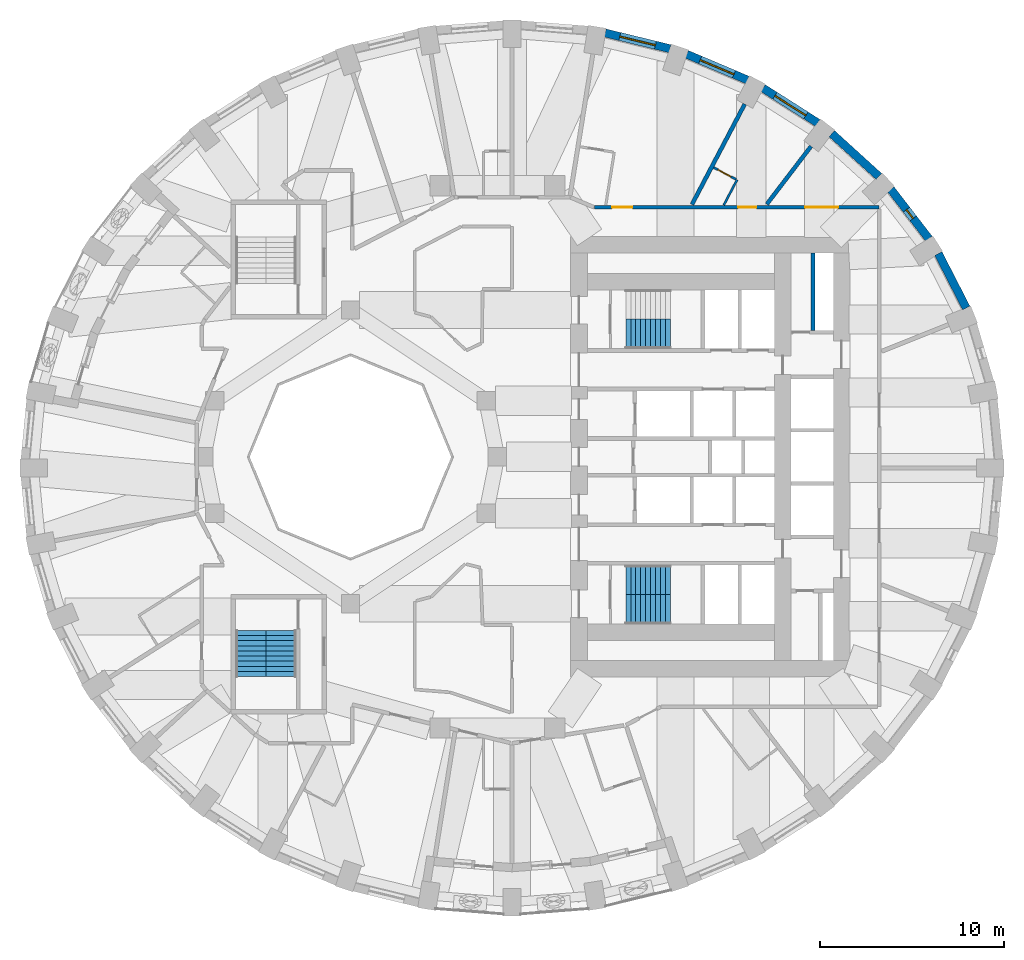
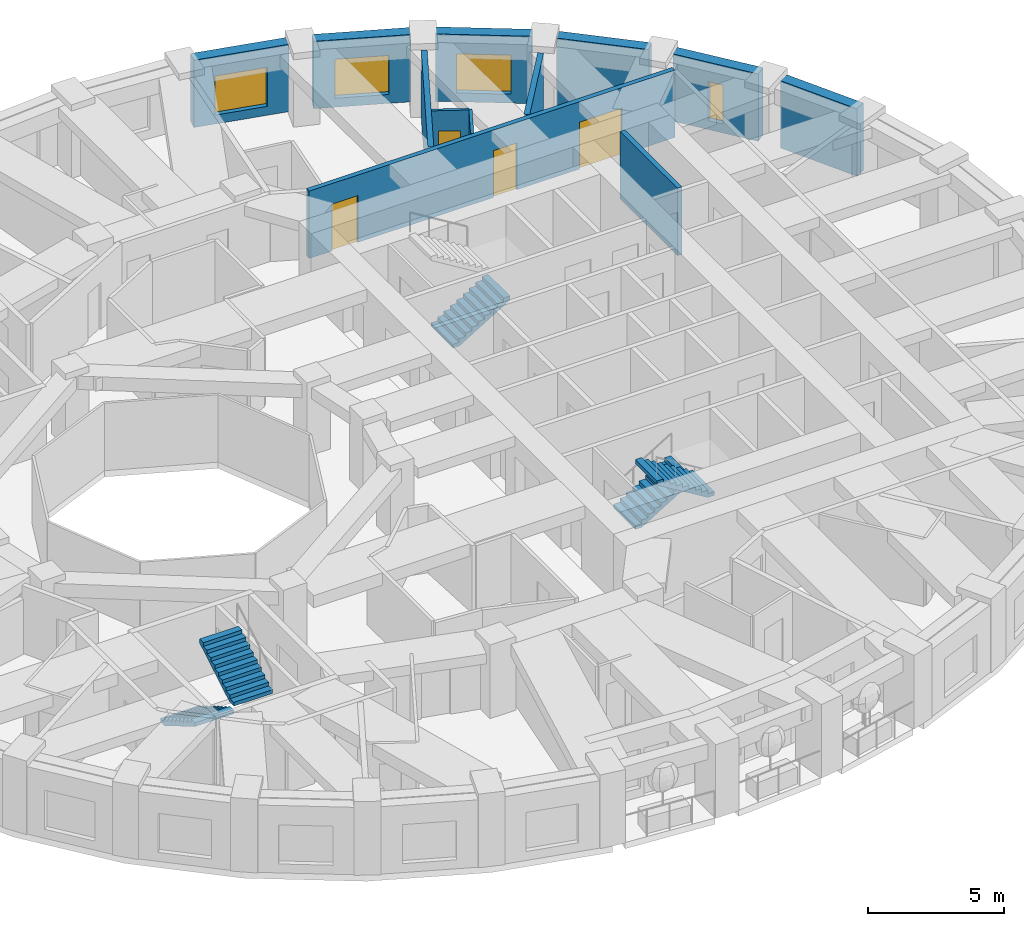
# One storey, part 9 of 13: 12 walls, 5 stair flights, 4 doors, 4 windows, 8 openings, 3 elements without a shape of their own.
"""IFC4 building model written with IfcOpenShell, lengths in metres."""

from ifc_helpers import new_model, si_unit, direction, frame, frame_2d, origin, place, context, subcontext, project, spatial, polyline, rectangle, outline, extrude, material, layer, layer_set, type_object, element, fill, aggregate, save


model = new_model("IFC4")

# Units and contexts
model_context = context("Model", 3, precision=1e-05, world=origin(), true_north=direction((0.0, 1.0)))
body_context = subcontext(model_context, "Body", "Model", "MODEL_VIEW")
ifc_project = project(units=[si_unit("LENGTHUNIT", "METRE"), si_unit("AREAUNIT", "SQUARE_METRE"), si_unit("VOLUMEUNIT", "CUBIC_METRE"), si_unit("PLANEANGLEUNIT", "RADIAN"), si_unit("MASSUNIT", "GRAM", prefix="KILO")], contexts=[model_context])

# Site, building, storey
site_placement = place(None, origin())
site = spatial("IfcSite", under=ifc_project, at=site_placement, CompositionType="ELEMENT")
building_placement = place(site_placement, origin())
building = spatial("IfcBuilding", under=site, at=building_placement, Name="Taillehof Tower", CompositionType="ELEMENT")
storey_placement = place(building_placement, frame((0.0, 0.0, 115.300048828125)))
storey = spatial("IfcBuildingStorey", under=building, at=storey_placement, Name="L32", CompositionType="ELEMENT", Elevation=115.300048828125)

# Wall
ifc_material_1 = material(Name="Brick masonry", Category="masonry")
ifc_layer_1 = layer(ifc_material_1, 0.449951171875)
ifc_layer_set_1 = layer_set([ifc_layer_1], Name="Brick infill wall 450")
wall_type_1 = type_object("IfcWallType", Name="Brick infill wall 450", PredefinedType="SOLIDWALL", material=ifc_layer_set_1)
wall_1_placement = place(storey_placement, frame((25.545166015625, 8.1123046875, 0.0), z_axis=(0.0, 0.0, 1.0), x_axis=(-0.456828186229, 0.889554949549, 0.0)))
element("IfcWall", 1, at=wall_1_placement, inside=storey, type_object=wall_type_1, Name="Brick wall L32 bay 3", PredefinedType="SOLIDWALL", context=body_context, shape_type="SweptSolid", body=[
    extrude(rectangle(XDim=3.332763671875, YDim=0.449951171875, at=frame_2d((1.66650390625, 0.0))), origin(), (0.0, 0.0, 1.0), 3.02001953125),
])

# Wall, opening, window
wall_2_placement = place(storey_placement, frame((23.508056640625, 11.887451171875, 0.0), z_axis=(0.0, 0.0, 1.0), x_axis=(-0.610693945156, 0.791866721961, 0.0)))
wall_2 = element("IfcWall", 2, at=wall_2_placement, inside=storey, type_object=wall_type_1, Name="Brick wall L32 bay 4", PredefinedType="SOLIDWALL", context=body_context, shape_type="SweptSolid", body=[
    extrude(rectangle(XDim=3.39453125, YDim=0.449951171875, at=frame_2d((1.697265625, 0.0))), origin(), (0.0, 0.0, 1.0), 3.02001953125),
])
opening_1_placement = place(wall_2_placement, frame((1.397216796875, 0.0, 0.39990234375)))
opening_1 = element("IfcOpeningElement", 3, at=opening_1_placement, cuts=wall_2, Name="Opening W6", PredefinedType="OPENING", context=body_context, shape_type="SweptSolid", body=[
    extrude(rectangle(XDim=0.60009765625, YDim=1.75, at=frame_2d((0.300048828125, 0.875))), frame((0.0, 0.23486328125, 0.0), z_axis=(0.0, -1.0, 0.0), x_axis=(1.0, 0.0, 0.0)), (0.0, 0.0, 1.0), 0.469970703125),
])
ifc_material_2 = material(Name="Aluminium window frame with clear double glazing", Category="aluminium")
window_type_1 = type_object("IfcWindowType", Name="Slot window 600x1750", PartitioningType="SINGLE_PANEL", PredefinedType="WINDOW", material=ifc_material_2)
window_1_placement = place(opening_1_placement, origin())
window_1 = element("IfcWindow", 4, at=window_1_placement, inside=storey, type_object=window_type_1, Name="W6", OverallHeight=1.75, OverallWidth=0.60009765625, PartitioningType="SINGLE_PANEL", PredefinedType="WINDOW", context=body_context, shape_type="SweptSolid", body=[
    extrude(rectangle(XDim=0.60009765625, YDim=1.75, at=frame_2d((0.300048828125, 0.875))), frame((0.0, 0.034912109375, 0.0), z_axis=(0.0, -1.0, 0.0), x_axis=(1.0, 0.0, 0.0)), (0.0, 0.0, 1.0), 0.06005859375),
])
fill(opening_1, window_1)

# Wall
wall_3_placement = place(storey_placement, frame((20.783935546875, 15.281005859375, 0.0), z_axis=(0.0, 0.0, 1.0), x_axis=(-0.74032902847, 0.672244694739, 0.0)))
element("IfcWall", 5, at=wall_3_placement, inside=storey, type_object=wall_type_1, Name="Brick wall L32 bay 5", PredefinedType="SOLIDWALL", context=body_context, shape_type="SweptSolid", body=[
    extrude(rectangle(XDim=3.4638671875, YDim=0.449951171875, at=frame_2d((1.73193359375, 0.0))), origin(), (0.0, 0.0, 1.0), 3.02001953125),
])

# Wall, opening, window
wall_4_placement = place(storey_placement, frame((17.456298828125, 18.19189453125, 0.0), z_axis=(0.0, 0.0, 1.0), x_axis=(-0.843880549131, 0.536531097699, 0.0)))
wall_4 = element("IfcWall", 6, at=wall_4_placement, inside=storey, type_object=wall_type_1, Name="Brick wall L32 bay 6", PredefinedType="SOLIDWALL", context=body_context, shape_type="SweptSolid", body=[
    extrude(rectangle(XDim=3.532470703125, YDim=0.449951171875, at=frame_2d((1.76611328125, 0.0))), origin(), (0.0, 0.0, 1.0), 3.02001953125),
])
opening_2_placement = place(wall_4_placement, frame((0.76611328125, 0.0, 0.39990234375)))
opening_2 = element("IfcOpeningElement", 7, at=opening_2_placement, cuts=wall_4, Name="Opening W2", PredefinedType="OPENING", context=body_context, shape_type="SweptSolid", body=[
    extrude(rectangle(XDim=2.0, YDim=1.75, at=frame_2d((1.0, 0.875))), frame((0.0, 0.23486328125, 0.0), z_axis=(0.0, -1.0, 0.0), x_axis=(1.0, 0.0, 0.0)), (0.0, 0.0, 1.0), 0.469970703125),
])
ifc_material_3 = material(Name="Aluminium window frame with clear double glazing", Category="aluminium")
window_type_2 = type_object("IfcWindowType", Name="Deep-set window 2000x1750", PartitioningType="SINGLE_PANEL", PredefinedType="WINDOW", material=ifc_material_3)
window_2_placement = place(opening_2_placement, origin())
window_2 = element("IfcWindow", 8, at=window_2_placement, inside=storey, type_object=window_type_2, Name="W2", OverallHeight=1.75, OverallWidth=2.0, PartitioningType="SINGLE_PANEL", PredefinedType="WINDOW", context=body_context, shape_type="SweptSolid", body=[
    extrude(rectangle(XDim=2.0, YDim=1.75, at=frame_2d((1.0, 0.875))), frame((0.0, 0.034912109375, 0.0), z_axis=(0.0, -1.0, 0.0), x_axis=(1.0, 0.0, 0.0)), (0.0, 0.0, 1.0), 0.06005859375),
])
fill(opening_2, window_2)

wall_5_placement = place(storey_placement, frame((13.625244140625, 20.533447265625, 0.0), z_axis=(0.0, 0.0, 1.0), x_axis=(-0.920869643542, 0.389870619055, 0.0)))
wall_5 = element("IfcWall", 9, at=wall_5_placement, inside=storey, type_object=wall_type_1, Name="Brick wall L32 bay 7", PredefinedType="SOLIDWALL", context=body_context, shape_type="SweptSolid", body=[
    extrude(rectangle(XDim=3.59130859375, YDim=0.449951171875, at=frame_2d((1.795654296875, 0.0))), origin(), (0.0, 0.0, 1.0), 3.02001953125),
])
opening_3_placement = place(wall_5_placement, frame((0.795654296875, 0.0, 0.39990234375)))
opening_3 = element("IfcOpeningElement", 10, at=opening_3_placement, cuts=wall_5, Name="Opening W2", PredefinedType="OPENING", context=body_context, shape_type="SweptSolid", body=[
    extrude(rectangle(XDim=2.0, YDim=1.75, at=frame_2d((1.0, 0.875))), frame((0.0, 0.23486328125, 0.0), z_axis=(0.0, -1.0, 0.0), x_axis=(1.0, 0.0, 0.0)), (0.0, 0.0, 1.0), 0.469970703125),
])
window_3_placement = place(opening_3_placement, origin())
window_3 = element("IfcWindow", 11, at=window_3_placement, inside=storey, type_object=window_type_2, Name="W2", OverallHeight=1.75, OverallWidth=2.0, PartitioningType="SINGLE_PANEL", PredefinedType="WINDOW", context=body_context, shape_type="SweptSolid", body=[
    extrude(rectangle(XDim=2.0, YDim=1.75, at=frame_2d((1.0, 0.875))), frame((0.0, 0.034912109375, 0.0), z_axis=(0.0, -1.0, 0.0), x_axis=(1.0, 0.0, 0.0)), (0.0, 0.0, 1.0), 0.06005859375),
])
fill(opening_3, window_3)

wall_6_placement = place(storey_placement, frame((9.406494140625, 22.2353515625, 0.0), z_axis=(0.0, 0.0, 1.0), x_axis=(-0.971667603162, 0.236351579148, 0.0)))
wall_6 = element("IfcWall", 12, at=wall_6_placement, inside=storey, type_object=wall_type_1, Name="Brick wall L32 bay 8", PredefinedType="SOLIDWALL", context=body_context, shape_type="SweptSolid", body=[
    extrude(rectangle(XDim=3.635009765625, YDim=0.449951171875, at=frame_2d((1.8173828125, 0.0))), origin(), (0.0, 0.0, 1.0), 3.02001953125),
])
opening_4_placement = place(wall_6_placement, frame((0.8173828125, 0.0, 0.39990234375)))
opening_4 = element("IfcOpeningElement", 13, at=opening_4_placement, cuts=wall_6, Name="Opening W2", PredefinedType="OPENING", context=body_context, shape_type="SweptSolid", body=[
    extrude(rectangle(XDim=2.0, YDim=1.75, at=frame_2d((1.0, 0.875))), frame((0.0, 0.23486328125, 0.0), z_axis=(0.0, -1.0, 0.0), x_axis=(1.0, 0.0, 0.0)), (0.0, 0.0, 1.0), 0.469970703125),
])
window_4_placement = place(opening_4_placement, origin())
window_4 = element("IfcWindow", 14, at=window_4_placement, inside=storey, type_object=window_type_2, Name="W2", OverallHeight=1.75, OverallWidth=2.0, PartitioningType="SINGLE_PANEL", PredefinedType="WINDOW", context=body_context, shape_type="SweptSolid", body=[
    extrude(rectangle(XDim=2.0, YDim=1.75, at=frame_2d((1.0, 0.875))), frame((0.0, 0.034912109375, 0.0), z_axis=(0.0, -1.0, 0.0), x_axis=(1.0, 0.0, 0.0)), (0.0, 0.0, 1.0), 0.06005859375),
])
fill(opening_4, window_4)

# Wall
ifc_material_4 = material(Name="Calcium silicate masonry", Category="masonry")
ifc_layer_2 = layer(ifc_material_4, 0.199951171875)
ifc_layer_set_2 = layer_set([ifc_layer_2], Name="Compartment wall calcium silicate 200")
wall_type_2 = type_object("IfcWallType", Name="Compartment wall calcium silicate 200", PredefinedType="PARTITIONING", material=ifc_layer_set_2)
wall_7_placement = place(storey_placement, frame((17.199951171875, 6.89990234375, 0.0), z_axis=(0.0, 0.0, 1.0), x_axis=(0.0, 1.0, 0.0)))
element("IfcWall", 15, at=wall_7_placement, inside=storey, type_object=wall_type_2, Name="Compartment wall FW", PredefinedType="PARTITIONING", context=body_context, shape_type="SweptSolid", body=[
    extrude(rectangle(XDim=4.2001953125, YDim=0.199951171875, at=frame_2d((2.10009765625, 0.0))), origin(), (0.0, 0.0, 1.0), 3.02001953125),
])

# Wall, openings, doors
ifc_material_5 = material(Name="Gypsum board on steel studs, two layers each side", Category="steel")
ifc_layer_3 = layer(ifc_material_5, 0.199951171875)
ifc_layer_set_3 = layer_set([ifc_layer_3], Name="Compartment wall corridor 200")
wall_type_3 = type_object("IfcWallType", Name="Compartment wall corridor 200", PredefinedType="PARTITIONING", material=ifc_layer_set_3)
wall_8_placement = place(storey_placement, frame((5.302734375, 13.60009765625, 0.0), z_axis=(0.0, 0.0, 1.0), x_axis=(1.0, 0.0, 0.0)))
wall_8 = element("IfcWall", 16, at=wall_8_placement, inside=storey, type_object=wall_type_3, Name="Compartment wall", PredefinedType="PARTITIONING", context=body_context, shape_type="SweptSolid", body=[
    extrude(rectangle(XDim=15.497314453125, YDim=0.199951171875, at=frame_2d((7.74853515625, 0.0))), origin(), (0.0, 0.0, 1.0), 3.02001953125),
])
opening_5_placement = place(wall_8_placement, frame((7.8125, 0.0, 0.0)))
opening_5 = element("IfcOpeningElement", 17, at=opening_5_placement, cuts=wall_8, Name="Opening D3240", PredefinedType="OPENING", context=body_context, shape_type="SweptSolid", body=[
    extrude(rectangle(XDim=1.0, YDim=2.10009765625, at=frame_2d((0.5, 1.050048828125))), frame((0.0, 0.10986328125, 0.0), z_axis=(0.0, -1.0, 0.0), x_axis=(1.0, 0.0, 0.0)), (0.0, 0.0, 1.0), 0.219970703125),
])
opening_6_placement = place(wall_8_placement, frame((0.957275390625, 0.0, 0.0)))
opening_6 = element("IfcOpeningElement", 18, at=opening_6_placement, cuts=wall_8, Name="Opening D3242", PredefinedType="OPENING", context=body_context, shape_type="SweptSolid", body=[
    extrude(rectangle(XDim=1.10009765625, YDim=2.10009765625, at=frame_2d((0.550048828125, 1.050048828125))), frame((0.0, 0.10986328125, 0.0), z_axis=(0.0, -1.0, 0.0), x_axis=(1.0, 0.0, 0.0)), (0.0, 0.0, 1.0), 0.219970703125),
])
opening_7_placement = place(wall_8_placement, frame((11.467041015625, 0.0, 0.0)))
opening_7 = element("IfcOpeningElement", 19, at=opening_7_placement, cuts=wall_8, Name="Opening D3267", PredefinedType="OPENING", context=body_context, shape_type="SweptSolid", body=[
    extrude(rectangle(XDim=1.800048828125, YDim=2.10009765625, at=frame_2d((0.89990234375, 1.050048828125))), frame((0.0, 0.10986328125, 0.0), z_axis=(0.0, -1.0, 0.0), x_axis=(1.0, 0.0, 0.0)), (0.0, 0.0, 1.0), 0.219970703125),
])
ifc_material_6 = material(Name="Timber door leaf in steel frame", Category="steel")
door_type_1 = type_object("IfcDoorType", Name="Guest room door EI 30 1000 x 2100", OperationType="SINGLE_SWING_LEFT", PredefinedType="DOOR", material=ifc_material_6)
door_1_placement = place(opening_5_placement, origin())
door_1 = element("IfcDoor", 20, at=door_1_placement, inside=storey, type_object=door_type_1, Name="D3240", OperationType="SINGLE_SWING_RIGHT", OverallHeight=2.10009765625, OverallWidth=1.0, PredefinedType="DOOR", context=body_context, shape_type="SweptSolid", body=[
    extrude(rectangle(XDim=1.0, YDim=2.10009765625, at=frame_2d((0.5, 1.050048828125))), frame((0.0, 0.02490234375, 0.0), z_axis=(0.0, -1.0, 0.0), x_axis=(1.0, 0.0, 0.0)), (0.0, 0.0, 1.0), 0.050048828125),
])
fill(opening_5, door_1)
ifc_material_7 = material(Name="Timber door leaf in steel frame", Category="steel")
door_type_2 = type_object("IfcDoorType", Name="Lounge and meeting room double door EI 30 1800 x 2100", OperationType="SINGLE_SWING_LEFT", PredefinedType="DOOR", material=ifc_material_7)
door_2_placement = place(opening_7_placement, origin())
door_2 = element("IfcDoor", 21, at=door_2_placement, inside=storey, type_object=door_type_2, Name="D3267", OperationType="DOUBLE_DOOR_SINGLE_SWING", OverallHeight=2.10009765625, OverallWidth=1.800048828125, PredefinedType="DOOR", context=body_context, shape_type="SweptSolid", body=[
    extrude(rectangle(XDim=1.800048828125, YDim=2.10009765625, at=frame_2d((0.89990234375, 1.050048828125))), frame((0.0, 0.02490234375, 0.0), z_axis=(0.0, -1.0, 0.0), x_axis=(1.0, 0.0, 0.0)), (0.0, 0.0, 1.0), 0.050048828125),
])
fill(opening_7, door_2)
ifc_material_8 = material(Name="Timber door leaf in steel frame", Category="steel")
door_type_3 = type_object("IfcDoorType", Name="Suite entrance door EI 30 1100 x 2100", OperationType="SINGLE_SWING_LEFT", PredefinedType="DOOR", material=ifc_material_8)
door_3_placement = place(opening_6_placement, origin())
door_3 = element("IfcDoor", 22, at=door_3_placement, inside=storey, type_object=door_type_3, Name="D3242", OperationType="SINGLE_SWING_LEFT", OverallHeight=2.10009765625, OverallWidth=1.10009765625, PredefinedType="DOOR", context=body_context, shape_type="SweptSolid", body=[
    extrude(rectangle(XDim=1.10009765625, YDim=2.10009765625, at=frame_2d((0.550048828125, 1.050048828125))), frame((0.0, 0.02490234375, 0.0), z_axis=(0.0, -1.0, 0.0), x_axis=(1.0, 0.0, 0.0)), (0.0, 0.0, 1.0), 0.050048828125),
])
fill(opening_6, door_3)

# Walls
ifc_material_9 = material(Name="Gypsum board on double steel studs with mineral wool", Category="steel")
ifc_layer_4 = layer(ifc_material_9, 0.219970703125)
ifc_layer_set_4 = layer_set([ifc_layer_4], Name="Compartment wall guest room 220")
wall_type_4 = type_object("IfcWallType", Name="Compartment wall guest room 220", PredefinedType="PARTITIONING", material=ifc_layer_set_4)
wall_9_placement = place(storey_placement, frame((17.08935546875, 16.9208984375, 0.0), z_axis=(0.0, 0.0, 1.0), x_axis=(-0.607055443677, -0.794659479464, 0.0)))
element("IfcWall", 23, at=wall_9_placement, inside=storey, type_object=wall_type_4, Name="Compartment wall", PredefinedType="PARTITIONING", context=body_context, shape_type="SweptSolid", body=[
    extrude(rectangle(XDim=3.97314453125, YDim=0.219970703125, at=frame_2d((1.986572265625, 0.0))), origin(), (0.0, 0.0, 1.0), 3.02001953125),
])
wall_10_placement = place(storey_placement, frame((13.47607421875, 19.217529296875, 0.0), z_axis=(0.0, 0.0, 1.0), x_axis=(-0.465345394262, -0.885129179295, 0.0)))
element("IfcWall", 24, at=wall_10_placement, inside=storey, type_object=wall_type_4, Name="Compartment wall", PredefinedType="PARTITIONING", context=body_context, shape_type="SweptSolid", body=[
    extrude(rectangle(XDim=6.1728515625, YDim=0.219970703125, at=frame_2d((3.08642578125, 0.0))), origin(), (0.0, 0.0, 1.0), 3.02001953125),
])
ifc_material_10 = material(Name="Gypsum board on steel studs, moisture resistant", Category="steel")
ifc_layer_5 = layer(ifc_material_10, 0.1201171875)
ifc_layer_set_5 = layer_set([ifc_layer_5], Name="En-suite wall 120")
wall_type_5 = type_object("IfcWallType", Name="En-suite wall 120", PredefinedType="PARTITIONING", material=ifc_layer_set_5)
wall_11_placement = place(storey_placement, frame((12.3359375, 13.718017578125, 0.0), z_axis=(0.0, 0.0, 1.0), x_axis=(0.465428746876, 0.88508535271, 0.0)))
element("IfcWall", 25, at=wall_11_placement, inside=storey, type_object=wall_type_5, Name="En-suite wall", PredefinedType="PARTITIONING", context=body_context, shape_type="SweptSolid", body=[
    extrude(rectangle(XDim=1.55224609375, YDim=0.1201171875, at=frame_2d((0.776123046875, 0.0))), origin(), (0.0, 0.0, 1.0), 3.02001953125),
])

# Wall, opening, door
wall_12_placement = place(storey_placement, frame((13.005126953125, 15.11962890625, 0.0), z_axis=(0.0, 0.0, 1.0), x_axis=(-0.885148383454, 0.465308864378, 0.0)))
wall_12 = element("IfcWall", 26, at=wall_12_placement, inside=storey, type_object=wall_type_5, Name="En-suite wall", PredefinedType="PARTITIONING", context=body_context, shape_type="SweptSolid", body=[
    extrude(rectangle(XDim=1.3798828125, YDim=0.1201171875, at=frame_2d((0.68994140625, 0.0))), origin(), (0.0, 0.0, 1.0), 3.02001953125),
])
opening_8_placement = place(wall_12_placement, frame((0.31494140625, 0.0, 0.0)))
opening_8 = element("IfcOpeningElement", 27, at=opening_8_placement, cuts=wall_12, Name="Opening D3241", PredefinedType="OPENING", context=body_context, shape_type="SweptSolid", body=[
    extrude(rectangle(XDim=0.800048828125, YDim=2.10009765625, at=frame_2d((0.39990234375, 1.050048828125))), frame((0.0, 0.070068359375, 0.0), z_axis=(0.0, -1.0, 0.0), x_axis=(1.0, 0.0, 0.0)), (0.0, 0.0, 1.0), 0.14013671875),
])
ifc_material_11 = material(Name="Timber door leaf in steel frame", Category="steel")
door_type_4 = type_object("IfcDoorType", Name="En-suite door 800 x 2100", OperationType="SINGLE_SWING_LEFT", PredefinedType="DOOR", material=ifc_material_11)
door_4_placement = place(opening_8_placement, origin())
door_4 = element("IfcDoor", 28, at=door_4_placement, inside=storey, type_object=door_type_4, Name="D3241", OperationType="SINGLE_SWING_LEFT", OverallHeight=2.10009765625, OverallWidth=0.800048828125, PredefinedType="DOOR", context=body_context, shape_type="SweptSolid", body=[
    extrude(rectangle(XDim=0.800048828125, YDim=2.10009765625, at=frame_2d((0.39990234375, 1.050048828125))), frame((0.0, 0.02490234375, 0.0), z_axis=(0.0, -1.0, 0.0), x_axis=(1.0, 0.0, 0.0)), (0.0, 0.0, 1.0), 0.050048828125),
])
fill(opening_8, door_4)

# Stair, stair flight
ifc_material_12 = material(Name="Concrete C40/50", Category="concrete")
stair_type = type_object("IfcStairType", Name="Exit stair half-turn", PredefinedType="HALF_TURN_STAIR", material=ifc_material_12)
stair_1_placement = place(storey_placement, origin())
stair_1 = element("IfcStair", 29, at=stair_1_placement, inside=storey, type_object=stair_type, Name="Exit stair S1", PredefinedType="HALF_TURN_STAIR")
ifc_material_13 = material(Name="Concrete C40/50", Category="concrete")
stair_flight_type_1 = type_object("IfcStairFlightType", Name="Stair flight 1600 riser 165.0 going 270", PredefinedType="STRAIGHT", material=ifc_material_13)
stair_flight_1_placement = place(storey_placement, frame((7.0, 6.699951171875, 0.0), z_axis=(0.0, 0.0, 1.0), x_axis=(1.0, 0.0, 0.0)))
stair_flight_1 = element("IfcStairFlight", 30, at=stair_flight_1_placement, type_object=stair_flight_type_1, Name="S1 flight 1", NumberOfRisers=10, NumberOfTreads=9, PredefinedType="STRAIGHT", RiserHeight=0.165, TreadLength=0.27, context=body_context, shape_type="SweptSolid", body=[
    extrude(outline(polyline([(0.0, 0.0), (0.0, 0.00537109375), (0.0, 0.0107421875), (0.0, 0.015869140625), (0.0, 0.021240234375), (0.0, 0.026611328125), (0.0, 0.031982421875), (0.0, 0.037353515625), (0.0, 0.04248046875), (0.0, 0.0478515625), (0.0, 0.05322265625), (0.0, 0.05859375), (0.0, 0.06396484375), (0.0, 0.069091796875), (0.0, 0.074462890625), (0.0, 0.079833984375), (0.0, 0.085205078125), (0.0, 0.090576171875), (0.0, 0.095703125), (0.0, 0.10107421875), (0.0, 0.1064453125), (0.0, 0.11181640625), (0.0, 0.1171875), (0.0, 0.122314453125), (0.0, 0.127685546875), (0.0, 0.133056640625), (0.0, 0.138427734375), (0.0, 0.143798828125), (0.0, 0.14892578125), (0.0, 0.154296875), (0.0, 0.15966796875), (0.0, 0.1650390625), (0.27001953125, 0.1650390625), (0.27001953125, 0.330078125), (0.5400390625, 0.330078125), (0.5400390625, 0.4951171875), (0.81005859375, 0.4951171875), (0.81005859375, 0.659912109375), (1.080078125, 0.659912109375), (1.080078125, 0.824951171875), (1.35009765625, 0.824951171875), (1.35009765625, 0.989990234375), (1.6201171875, 0.989990234375), (1.6201171875, 1.155029296875), (1.889892578125, 1.155029296875), (1.889892578125, 1.320068359375), (2.159912109375, 1.320068359375), (2.159912109375, 1.485107421875), (2.429931640625, 1.485107421875), (2.429931640625, 1.479248046875), (2.429931640625, 1.4736328125), (2.429931640625, 1.468017578125), (2.429931640625, 1.46240234375), (2.429931640625, 1.45654296875), (2.429931640625, 1.450927734375), (2.429931640625, 1.4453125), (2.429931640625, 1.439697265625), (2.429931640625, 1.43408203125), (2.429931640625, 1.42822265625), (2.429931640625, 1.422607421875), (2.429931640625, 1.4169921875), (2.429931640625, 1.411376953125), (2.429931640625, 1.40576171875), (2.429931640625, 1.39990234375), (2.429931640625, 1.394287109375), (2.429931640625, 1.388671875), (2.429931640625, 1.383056640625), (2.429931640625, 1.37744140625), (2.429931640625, 1.37158203125), (2.429931640625, 1.365966796875), (2.429931640625, 1.3603515625), (2.429931640625, 1.354736328125), (2.429931640625, 1.348876953125), (2.429931640625, 1.34326171875), (2.429931640625, 1.337646484375), (2.429931640625, 1.33203125), (2.429931640625, 1.326416015625), (2.429931640625, 1.320556640625), (2.429931640625, 1.31494140625), (2.429931640625, 1.309326171875), (0.287353515625, 0.0), (0.0, 0.0)])), frame((0.0, 0.800048828125, 0.0), z_axis=(0.0, -1.0, 0.0), x_axis=(1.0, 0.0, 0.0)), (0.0, 0.0, 1.0), 1.6),
])
aggregate(stair_1, [stair_flight_1])

# Stair, stair flights
stair_2_placement = place(storey_placement, origin())
stair_2 = element("IfcStair", 31, at=stair_2_placement, inside=storey, type_object=stair_type, Name="Exit stair S2", PredefinedType="HALF_TURN_STAIR")
stair_flight_2_placement = place(storey_placement, frame((7.0, -6.699951171875, 0.0), z_axis=(0.0, 0.0, 1.0), x_axis=(1.0, 0.0, 0.0)))
stair_flight_2 = element("IfcStairFlight", 32, at=stair_flight_2_placement, type_object=stair_flight_type_1, Name="S2 flight 1", NumberOfRisers=10, NumberOfTreads=9, PredefinedType="STRAIGHT", RiserHeight=0.165, TreadLength=0.27, context=body_context, shape_type="SweptSolid", body=[
    extrude(outline(polyline([(0.0, 0.0), (0.0, 0.00537109375), (0.0, 0.0107421875), (0.0, 0.015869140625), (0.0, 0.021240234375), (0.0, 0.026611328125), (0.0, 0.031982421875), (0.0, 0.037353515625), (0.0, 0.04248046875), (0.0, 0.0478515625), (0.0, 0.05322265625), (0.0, 0.05859375), (0.0, 0.06396484375), (0.0, 0.069091796875), (0.0, 0.074462890625), (0.0, 0.079833984375), (0.0, 0.085205078125), (0.0, 0.090576171875), (0.0, 0.095703125), (0.0, 0.10107421875), (0.0, 0.1064453125), (0.0, 0.11181640625), (0.0, 0.1171875), (0.0, 0.122314453125), (0.0, 0.127685546875), (0.0, 0.133056640625), (0.0, 0.138427734375), (0.0, 0.143798828125), (0.0, 0.14892578125), (0.0, 0.154296875), (0.0, 0.15966796875), (0.0, 0.1650390625), (0.27001953125, 0.1650390625), (0.27001953125, 0.330078125), (0.5400390625, 0.330078125), (0.5400390625, 0.4951171875), (0.81005859375, 0.4951171875), (0.81005859375, 0.659912109375), (1.080078125, 0.659912109375), (1.080078125, 0.824951171875), (1.35009765625, 0.824951171875), (1.35009765625, 0.989990234375), (1.6201171875, 0.989990234375), (1.6201171875, 1.155029296875), (1.889892578125, 1.155029296875), (1.889892578125, 1.320068359375), (2.159912109375, 1.320068359375), (2.159912109375, 1.485107421875), (2.429931640625, 1.485107421875), (2.429931640625, 1.479248046875), (2.429931640625, 1.4736328125), (2.429931640625, 1.468017578125), (2.429931640625, 1.46240234375), (2.429931640625, 1.45654296875), (2.429931640625, 1.450927734375), (2.429931640625, 1.4453125), (2.429931640625, 1.439697265625), (2.429931640625, 1.43408203125), (2.429931640625, 1.42822265625), (2.429931640625, 1.422607421875), (2.429931640625, 1.4169921875), (2.429931640625, 1.411376953125), (2.429931640625, 1.40576171875), (2.429931640625, 1.39990234375), (2.429931640625, 1.394287109375), (2.429931640625, 1.388671875), (2.429931640625, 1.383056640625), (2.429931640625, 1.37744140625), (2.429931640625, 1.37158203125), (2.429931640625, 1.365966796875), (2.429931640625, 1.3603515625), (2.429931640625, 1.354736328125), (2.429931640625, 1.348876953125), (2.429931640625, 1.34326171875), (2.429931640625, 1.337646484375), (2.429931640625, 1.33203125), (2.429931640625, 1.326416015625), (2.429931640625, 1.320556640625), (2.429931640625, 1.31494140625), (2.429931640625, 1.309326171875), (0.287353515625, 0.0), (0.0, 0.0)])), frame((0.0, 0.800048828125, 0.0), z_axis=(0.0, -1.0, 0.0), x_axis=(1.0, 0.0, 0.0)), (0.0, 0.0, 1.0), 1.6),
])
stair_flight_3_placement = place(storey_placement, frame((9.429931640625, -8.300048828125, 1.64990234375), z_axis=(0.0, 0.0, 1.0), x_axis=(-1.0, 0.0, 0.0)))
stair_flight_3 = element("IfcStairFlight", 33, at=stair_flight_3_placement, type_object=stair_flight_type_1, Name="S2 flight 2", NumberOfRisers=10, NumberOfTreads=9, PredefinedType="STRAIGHT", RiserHeight=0.165, TreadLength=0.27, context=body_context, shape_type="SweptSolid", body=[
    extrude(outline(polyline([(0.0, 0.0), (0.0, 0.00537109375), (0.0, 0.0107421875), (0.0, 0.015869140625), (0.0, 0.021240234375), (0.0, 0.026611328125), (0.0, 0.031982421875), (0.0, 0.037353515625), (0.0, 0.04248046875), (0.0, 0.0478515625), (0.0, 0.05322265625), (0.0, 0.05859375), (0.0, 0.06396484375), (0.0, 0.069091796875), (0.0, 0.074462890625), (0.0, 0.079833984375), (0.0, 0.085205078125), (0.0, 0.090576171875), (0.0, 0.095703125), (0.0, 0.10107421875), (0.0, 0.1064453125), (0.0, 0.11181640625), (0.0, 0.1171875), (0.0, 0.122314453125), (0.0, 0.127685546875), (0.0, 0.133056640625), (0.0, 0.138427734375), (0.0, 0.143798828125), (0.0, 0.14892578125), (0.0, 0.154296875), (0.0, 0.15966796875), (0.0, 0.1650390625), (0.27001953125, 0.1650390625), (0.27001953125, 0.330078125), (0.5400390625, 0.330078125), (0.5400390625, 0.4951171875), (0.81005859375, 0.4951171875), (0.81005859375, 0.659912109375), (1.080078125, 0.659912109375), (1.080078125, 0.824951171875), (1.35009765625, 0.824951171875), (1.35009765625, 0.989990234375), (1.6201171875, 0.989990234375), (1.6201171875, 1.155029296875), (1.889892578125, 1.155029296875), (1.889892578125, 1.320068359375), (2.159912109375, 1.320068359375), (2.159912109375, 1.485107421875), (2.429931640625, 1.485107421875), (2.429931640625, 1.479248046875), (2.429931640625, 1.4736328125), (2.429931640625, 1.468017578125), (2.429931640625, 1.46240234375), (2.429931640625, 1.45654296875), (2.429931640625, 1.450927734375), (2.429931640625, 1.4453125), (2.429931640625, 1.439697265625), (2.429931640625, 1.43408203125), (2.429931640625, 1.42822265625), (2.429931640625, 1.422607421875), (2.429931640625, 1.4169921875), (2.429931640625, 1.411376953125), (2.429931640625, 1.40576171875), (2.429931640625, 1.39990234375), (2.429931640625, 1.394287109375), (2.429931640625, 1.388671875), (2.429931640625, 1.383056640625), (2.429931640625, 1.37744140625), (2.429931640625, 1.37158203125), (2.429931640625, 1.365966796875), (2.429931640625, 1.3603515625), (2.429931640625, 1.354736328125), (2.429931640625, 1.348876953125), (2.429931640625, 1.34326171875), (2.429931640625, 1.337646484375), (2.429931640625, 1.33203125), (2.429931640625, 1.326416015625), (2.429931640625, 1.320556640625), (2.429931640625, 1.31494140625), (2.429931640625, 1.309326171875), (0.287353515625, 0.0), (0.0, 0.0)])), frame((0.0, 0.800048828125, 0.0), z_axis=(0.0, -1.0, 0.0), x_axis=(1.0, 0.0, 0.0)), (0.0, 0.0, 1.0), 1.6),
])
aggregate(stair_2, [stair_flight_2, stair_flight_3])

stair_3_placement = place(storey_placement, origin())
stair_3 = element("IfcStair", 34, at=stair_3_placement, inside=storey, type_object=stair_type, Name="Exit stair S4", PredefinedType="HALF_TURN_STAIR")
ifc_material_14 = material(Name="Concrete C40/50", Category="concrete")
stair_flight_type_2 = type_object("IfcStairFlightType", Name="Stair flight 1650 riser 165.0 going 280", PredefinedType="STRAIGHT", material=ifc_material_14)
stair_flight_4_placement = place(storey_placement, frame((-13.425048828125, -9.449951171875, 0.0), z_axis=(0.0, 0.0, 1.0), x_axis=(0.0, -1.0, 0.0)))
stair_flight_4 = element("IfcStairFlight", 35, at=stair_flight_4_placement, type_object=stair_flight_type_2, Name="S4 flight 1", NumberOfRisers=10, NumberOfTreads=9, PredefinedType="STRAIGHT", RiserHeight=0.165, TreadLength=0.28, context=body_context, shape_type="SweptSolid", body=[
    extrude(outline(polyline([(0.0, 0.0), (0.0, 0.00537109375), (0.0, 0.0107421875), (0.0, 0.015869140625), (0.0, 0.021240234375), (0.0, 0.026611328125), (0.0, 0.031982421875), (0.0, 0.037353515625), (0.0, 0.04248046875), (0.0, 0.0478515625), (0.0, 0.05322265625), (0.0, 0.05859375), (0.0, 0.06396484375), (0.0, 0.069091796875), (0.0, 0.074462890625), (0.0, 0.079833984375), (0.0, 0.085205078125), (0.0, 0.090576171875), (0.0, 0.095703125), (0.0, 0.10107421875), (0.0, 0.1064453125), (0.0, 0.11181640625), (0.0, 0.1171875), (0.0, 0.122314453125), (0.0, 0.127685546875), (0.0, 0.133056640625), (0.0, 0.138427734375), (0.0, 0.143798828125), (0.0, 0.14892578125), (0.0, 0.154296875), (0.0, 0.15966796875), (0.0, 0.1650390625), (0.280029296875, 0.1650390625), (0.280029296875, 0.330078125), (0.56005859375, 0.330078125), (0.56005859375, 0.4951171875), (0.840087890625, 0.4951171875), (0.840087890625, 0.659912109375), (1.1201171875, 0.659912109375), (1.1201171875, 0.824951171875), (1.39990234375, 0.824951171875), (1.39990234375, 0.989990234375), (1.679931640625, 0.989990234375), (1.679931640625, 1.155029296875), (1.9599609375, 1.155029296875), (1.9599609375, 1.320068359375), (2.239990234375, 1.320068359375), (2.239990234375, 1.485107421875), (2.52001953125, 1.485107421875), (2.52001953125, 1.4794921875), (2.52001953125, 1.473876953125), (2.52001953125, 1.46826171875), (2.52001953125, 1.462646484375), (2.52001953125, 1.45703125), (2.52001953125, 1.451416015625), (2.52001953125, 1.44580078125), (2.52001953125, 1.440185546875), (2.52001953125, 1.4345703125), (2.52001953125, 1.428955078125), (2.52001953125, 1.42333984375), (2.52001953125, 1.417724609375), (2.52001953125, 1.412109375), (2.52001953125, 1.406494140625), (2.52001953125, 1.40087890625), (2.52001953125, 1.395263671875), (2.52001953125, 1.3896484375), (2.52001953125, 1.384033203125), (2.52001953125, 1.37841796875), (2.52001953125, 1.372802734375), (2.52001953125, 1.3671875), (2.52001953125, 1.361572265625), (2.52001953125, 1.35595703125), (2.52001953125, 1.350341796875), (2.52001953125, 1.3447265625), (2.52001953125, 1.339111328125), (2.52001953125, 1.33349609375), (2.52001953125, 1.327880859375), (2.52001953125, 1.322265625), (2.52001953125, 1.316650390625), (2.52001953125, 1.31103515625), (0.295166015625, 0.0), (0.0, 0.0)])), frame((0.0, 0.824951171875, 0.0), z_axis=(0.0, -1.0, 0.0), x_axis=(1.0, 0.0, 0.0)), (0.0, 0.0, 1.0), 1.65),
])
stair_flight_5_placement = place(storey_placement, frame((-11.77490234375, -11.969970703125, 1.64990234375), z_axis=(0.0, 0.0, 1.0), x_axis=(0.0, 1.0, 0.0)))
stair_flight_5 = element("IfcStairFlight", 36, at=stair_flight_5_placement, type_object=stair_flight_type_2, Name="S4 flight 2", NumberOfRisers=10, NumberOfTreads=9, PredefinedType="STRAIGHT", RiserHeight=0.165, TreadLength=0.28, context=body_context, shape_type="SweptSolid", body=[
    extrude(outline(polyline([(0.0, 0.0), (0.0, 0.00537109375), (0.0, 0.0107421875), (0.0, 0.015869140625), (0.0, 0.021240234375), (0.0, 0.026611328125), (0.0, 0.031982421875), (0.0, 0.037353515625), (0.0, 0.04248046875), (0.0, 0.0478515625), (0.0, 0.05322265625), (0.0, 0.05859375), (0.0, 0.06396484375), (0.0, 0.069091796875), (0.0, 0.074462890625), (0.0, 0.079833984375), (0.0, 0.085205078125), (0.0, 0.090576171875), (0.0, 0.095703125), (0.0, 0.10107421875), (0.0, 0.1064453125), (0.0, 0.11181640625), (0.0, 0.1171875), (0.0, 0.122314453125), (0.0, 0.127685546875), (0.0, 0.133056640625), (0.0, 0.138427734375), (0.0, 0.143798828125), (0.0, 0.14892578125), (0.0, 0.154296875), (0.0, 0.15966796875), (0.0, 0.1650390625), (0.280029296875, 0.1650390625), (0.280029296875, 0.330078125), (0.56005859375, 0.330078125), (0.56005859375, 0.4951171875), (0.840087890625, 0.4951171875), (0.840087890625, 0.659912109375), (1.1201171875, 0.659912109375), (1.1201171875, 0.824951171875), (1.39990234375, 0.824951171875), (1.39990234375, 0.989990234375), (1.679931640625, 0.989990234375), (1.679931640625, 1.155029296875), (1.9599609375, 1.155029296875), (1.9599609375, 1.320068359375), (2.239990234375, 1.320068359375), (2.239990234375, 1.485107421875), (2.52001953125, 1.485107421875), (2.52001953125, 1.4794921875), (2.52001953125, 1.473876953125), (2.52001953125, 1.46826171875), (2.52001953125, 1.462646484375), (2.52001953125, 1.45703125), (2.52001953125, 1.451416015625), (2.52001953125, 1.44580078125), (2.52001953125, 1.440185546875), (2.52001953125, 1.4345703125), (2.52001953125, 1.428955078125), (2.52001953125, 1.42333984375), (2.52001953125, 1.417724609375), (2.52001953125, 1.412109375), (2.52001953125, 1.406494140625), (2.52001953125, 1.40087890625), (2.52001953125, 1.395263671875), (2.52001953125, 1.3896484375), (2.52001953125, 1.384033203125), (2.52001953125, 1.37841796875), (2.52001953125, 1.372802734375), (2.52001953125, 1.3671875), (2.52001953125, 1.361572265625), (2.52001953125, 1.35595703125), (2.52001953125, 1.350341796875), (2.52001953125, 1.3447265625), (2.52001953125, 1.339111328125), (2.52001953125, 1.33349609375), (2.52001953125, 1.327880859375), (2.52001953125, 1.322265625), (2.52001953125, 1.316650390625), (2.52001953125, 1.31103515625), (0.295166015625, 0.0), (0.0, 0.0)])), frame((0.0, 0.824951171875, 0.0), z_axis=(0.0, -1.0, 0.0), x_axis=(1.0, 0.0, 0.0)), (0.0, 0.0, 1.0), 1.65),
])
aggregate(stair_3, [stair_flight_4, stair_flight_5])

save(model, "model.ifc")
